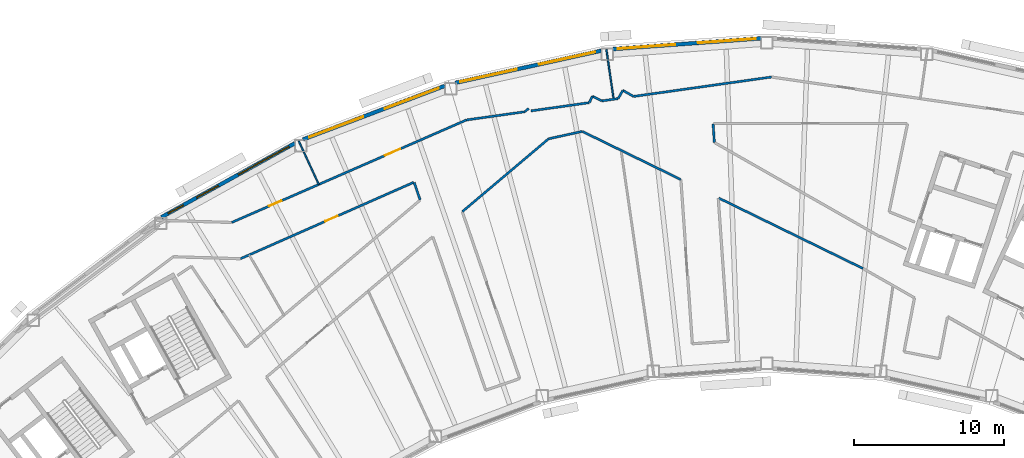
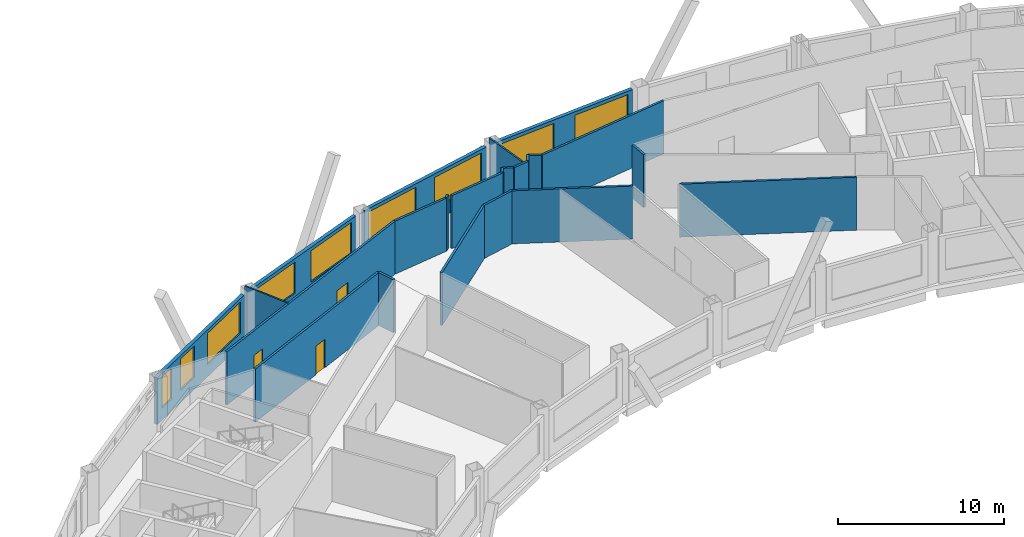
# One storey, part 7 of 14: 23 walls, 9 windows, 3 doors, 12 openings.
"""IFC4 building model written with IfcOpenShell, lengths in metres."""

from ifc_helpers import new_model, si_unit, direction, frame, frame_2d, origin, place, context, subcontext, project, spatial, rectangle, extrude, material, layer, layer_set, type_object, element, fill, save


model = new_model("IFC4")

# Units and contexts
model_context = context("Model", 3, precision=1e-05, world=origin(), true_north=direction((0.0, 1.0)))
body_context = subcontext(model_context, "Body", "Model", "MODEL_VIEW")
ifc_project = project(units=[si_unit("LENGTHUNIT", "METRE"), si_unit("AREAUNIT", "SQUARE_METRE"), si_unit("VOLUMEUNIT", "CUBIC_METRE"), si_unit("PLANEANGLEUNIT", "RADIAN"), si_unit("MASSUNIT", "GRAM", prefix="KILO")], contexts=[model_context])

# Site, building, storey
site_placement = place(None, origin())
site = spatial("IfcSite", under=ifc_project, at=site_placement, CompositionType="ELEMENT")
building_placement = place(site_placement, origin())
building = spatial("IfcBuilding", under=site, at=building_placement, Name="Tuul Gate Civic Tower", CompositionType="ELEMENT")
storey_placement = place(building_placement, frame((0.0, 0.0, 256.800048828125)))
storey = spatial("IfcBuildingStorey", under=building, at=storey_placement, Name="Level 58", CompositionType="ELEMENT", Elevation=256.800048828125)

# Walls
ifc_material_1 = material(Name="Gypsum board partition")
ifc_layer_1 = layer(ifc_material_1, 0.14990234375)
ifc_layer_set_1 = layer_set([ifc_layer_1], Name="Gypsum board partition")
wall_type_1 = type_object("IfcWallType", Name="Corridor wall P150", PredefinedType="PARTITIONING", material=ifc_layer_set_1)
wall_1_placement = place(storey_placement, frame((-8.997802734375, 8.331787109375, 0.0), z_axis=(0.0, 0.0, 1.0), x_axis=(0.990228560902, 0.139453924914, 0.0)))
element("IfcWall", 1, at=wall_1_placement, inside=storey, type_object=wall_type_1, Name="p017", PredefinedType="PARTITIONING", context=body_context, shape_type="SweptSolid", body=[
    extrude(rectangle(XDim=3.9267578125, YDim=0.14990234375, at=frame_2d((1.96337890625, 0.0))), origin(), (0.0, 0.0, 1.0), 3.89990234375),
])
wall_2_placement = place(storey_placement, frame((-4.6884765625, 8.938720703125, 0.0), z_axis=(0.0, 0.0, 1.0), x_axis=(0.990239491623, 0.139376286467, 0.0)))
element("IfcWall", 2, at=wall_2_placement, inside=storey, type_object=wall_type_1, Name="p018", PredefinedType="PARTITIONING", context=body_context, shape_type="SweptSolid", body=[
    extrude(rectangle(XDim=3.911376953125, YDim=0.14990234375, at=frame_2d((1.95556640625, 0.0))), origin(), (0.0, 0.0, 1.0), 3.89990234375),
])
wall_3_placement = place(storey_placement, frame((0.0322265625, 9.603515625, 0.0), z_axis=(0.0, 0.0, 1.0), x_axis=(0.990252706124, 0.139282367921, 0.0)))
element("IfcWall", 3, at=wall_3_placement, inside=storey, type_object=wall_type_1, Name="p019", PredefinedType="PARTITIONING", context=body_context, shape_type="SweptSolid", body=[
    extrude(rectangle(XDim=1.086669921875, YDim=0.14990234375, at=frame_2d((0.54345703125, 0.0))), origin(), (0.0, 0.0, 1.0), 3.89990234375),
])
wall_4_placement = place(storey_placement, frame((2.1494140625, 9.901611328125, 0.0), z_axis=(0.0, 0.0, 1.0), x_axis=(0.990230546803, 0.139439822781, 0.0)))
element("IfcWall", 4, at=wall_4_placement, inside=storey, type_object=wall_type_1, Name="p020", PredefinedType="PARTITIONING", context=body_context, shape_type="SweptSolid", body=[
    extrude(rectangle(XDim=9.28125, YDim=0.14990234375, at=frame_2d((4.640625, 0.0))), origin(), (0.0, 0.0, 1.0), 3.89990234375),
])
wall_5_placement = place(storey_placement, frame((1.431396484375, 10.305419921875, 0.0), z_axis=(0.0, 0.0, 1.0), x_axis=(0.869001058999, -0.494810225702, 0.0)))
element("IfcWall", 5, at=wall_5_placement, inside=storey, type_object=wall_type_1, Name="p021", PredefinedType="PARTITIONING", context=body_context, shape_type="SweptSolid", body=[
    extrude(rectangle(XDim=0.811767578125, YDim=0.14990234375, at=frame_2d((0.40576171875, 0.0))), origin(), (0.0, 0.0, 1.0), 3.89990234375),
])
wall_6_placement = place(storey_placement, frame((1.122802734375, 9.764892578125, 0.0), z_axis=(0.0, 0.0, 1.0), x_axis=(0.494912710039, 0.868942696294, 0.0)))
element("IfcWall", 6, at=wall_6_placement, inside=storey, type_object=wall_type_1, Name="p025", PredefinedType="PARTITIONING", context=body_context, shape_type="SweptSolid", body=[
    extrude(rectangle(XDim=0.6220703125, YDim=0.14990234375, at=frame_2d((0.31103515625, 0.0))), origin(), (0.0, 0.0, 1.0), 3.89990234375),
])
wall_7_placement = place(storey_placement, frame((-0.59716796875, 9.91064453125, 0.0), z_axis=(0.0, 0.0, 1.0), x_axis=(0.8990532577, -0.437839285376, 0.0)))
element("IfcWall", 7, at=wall_7_placement, inside=storey, type_object=wall_type_1, Name="p028", PredefinedType="PARTITIONING", context=body_context, shape_type="SweptSolid", body=[
    extrude(rectangle(XDim=0.69970703125, YDim=0.14990234375, at=frame_2d((0.349853515625, 0.0))), origin(), (0.0, 0.0, 1.0), 3.89990234375),
])
wall_8_placement = place(storey_placement, frame((-0.800048828125, 9.4951171875, 0.0), z_axis=(0.0, 0.0, 1.0), x_axis=(0.438746071107, 0.898611086671, 0.0)))
element("IfcWall", 8, at=wall_8_placement, inside=storey, type_object=wall_type_1, Name="p030", PredefinedType="PARTITIONING", context=body_context, shape_type="SweptSolid", body=[
    extrude(rectangle(XDim=0.46240234375, YDim=0.14990234375, at=frame_2d((0.231201171875, 0.0))), origin(), (0.0, 0.0, 1.0), 3.89990234375),
])
wall_9_placement = place(storey_placement, frame((-5.09912109375, 8.8837890625, 0.0), z_axis=(0.0, 0.0, 1.0), x_axis=(0.763549735417, 0.64574902365, 0.0)))
element("IfcWall", 9, at=wall_9_placement, inside=storey, type_object=wall_type_1, Name="p032", PredefinedType="PARTITIONING", context=body_context, shape_type="SweptSolid", body=[
    extrude(rectangle(XDim=0.33984375, YDim=0.14990234375, at=frame_2d((0.169921875, 0.0))), origin(), (0.0, 0.0, 1.0), 3.89990234375),
])

# Wall, openings, doors
wall_10_placement = place(storey_placement, frame((-24.63427734375, 1.503173828125, 0.0), z_axis=(0.0, 0.0, 1.0), x_axis=(0.916422804451, 0.400211498439, 0.0)))
wall_10 = element("IfcWall", 10, at=wall_10_placement, inside=storey, type_object=wall_type_1, Name="p033", PredefinedType="PARTITIONING", context=body_context, shape_type="SweptSolid", body=[
    extrude(rectangle(XDim=17.0625, YDim=0.14990234375, at=frame_2d((8.53125, 0.0))), origin(), (0.0, 0.0, 1.0), 3.89990234375),
])
opening_1_placement = place(wall_10_placement, frame((11.146728515625, 0.0, 0.0)))
opening_1 = element("IfcOpeningElement", 11, at=opening_1_placement, cuts=wall_10, Name="Opening V-D05", PredefinedType="OPENING", context=body_context, shape_type="SweptSolid", body=[
    extrude(rectangle(XDim=1.10009765625, YDim=2.10009765625, at=frame_2d((0.550048828125, 1.050048828125))), frame((0.0, 0.0849609375, 0.0), z_axis=(0.0, -1.0, 0.0), x_axis=(1.0, 0.0, 0.0)), (0.0, 0.0, 1.0), 0.169921875),
])
opening_2_placement = place(wall_10_placement, frame((2.715576171875, 0.0, 0.0)))
opening_2 = element("IfcOpeningElement", 12, at=opening_2_placement, cuts=wall_10, Name="Opening V-D06", PredefinedType="OPENING", context=body_context, shape_type="SweptSolid", body=[
    extrude(rectangle(XDim=0.89990234375, YDim=2.10009765625, at=frame_2d((0.449951171875, 1.050048828125))), frame((0.0, 0.0849609375, 0.0), z_axis=(0.0, -1.0, 0.0), x_axis=(1.0, 0.0, 0.0)), (0.0, 0.0, 1.0), 0.169921875),
])
ifc_material_2 = material(Name="Timber door leaf", Category="wood")
door_type_1 = type_object("IfcDoorType", Name="Door D09", OperationType="NOTDEFINED", PredefinedType="DOOR", material=ifc_material_2)
door_1_placement = place(opening_2_placement, origin())
door_1 = element("IfcDoor", 13, at=door_1_placement, inside=storey, type_object=door_type_1, Name="Door V-D06", OperationType="SINGLE_SWING_RIGHT", OverallHeight=2.10009765625, OverallWidth=0.89990234375, PredefinedType="DOOR", context=body_context, shape_type="SweptSolid", body=[
    extrude(rectangle(XDim=0.89990234375, YDim=2.10009765625, at=frame_2d((0.449951171875, 1.050048828125))), frame((0.0, 0.02490234375, 0.0), z_axis=(0.0, -1.0, 0.0), x_axis=(1.0, 0.0, 0.0)), (0.0, 0.0, 1.0), 0.050048828125),
])
fill(opening_2, door_1)
ifc_material_3 = material(Name="Timber door leaf", Category="wood")
door_type_2 = type_object("IfcDoorType", Name="Door D11", OperationType="NOTDEFINED", PredefinedType="DOOR", material=ifc_material_3)
door_2_placement = place(opening_1_placement, origin())
door_2 = element("IfcDoor", 14, at=door_2_placement, inside=storey, type_object=door_type_2, Name="Door V-D05", OperationType="SINGLE_SWING_RIGHT", OverallHeight=2.10009765625, OverallWidth=1.10009765625, PredefinedType="DOOR", context=body_context, shape_type="SweptSolid", body=[
    extrude(rectangle(XDim=1.10009765625, YDim=2.10009765625, at=frame_2d((0.550048828125, 1.050048828125))), frame((0.0, 0.02490234375, 0.0), z_axis=(0.0, -1.0, 0.0), x_axis=(1.0, 0.0, 0.0)), (0.0, 0.0, 1.0), 0.050048828125),
])
fill(opening_1, door_2)

# Walls
wall_11_placement = place(storey_placement, frame((-1.2685546875, 7.5673828125, 0.0), z_axis=(0.0, 0.0, 1.0), x_axis=(0.898570891444, -0.438828386787, 0.0)))
element("IfcWall", 15, at=wall_11_placement, inside=storey, type_object=wall_type_1, Name="p063", PredefinedType="PARTITIONING", context=body_context, shape_type="SweptSolid", body=[
    extrude(rectangle(XDim=7.2958984375, YDim=0.14990234375, at=frame_2d((3.64794921875, 0.0))), origin(), (0.0, 0.0, 1.0), 3.89990234375),
])
wall_12_placement = place(storey_placement, frame((7.81982421875, 3.129150390625, 0.0), z_axis=(0.0, 0.0, 1.0), x_axis=(0.898573794777, -0.4388224417, 0.0)))
element("IfcWall", 16, at=wall_12_placement, inside=storey, type_object=wall_type_1, Name="p064", PredefinedType="PARTITIONING", context=body_context, shape_type="SweptSolid", body=[
    extrude(rectangle(XDim=10.697021484375, YDim=0.14990234375, at=frame_2d((5.3486328125, 0.0))), origin(), (0.0, 0.0, 1.0), 3.89990234375),
])
wall_13_placement = place(storey_placement, frame((7.444091796875, 8.071044921875, 0.0), z_axis=(0.0, 0.0, 1.0), x_axis=(0.069864679707, -0.997556477864, 0.0)))
element("IfcWall", 17, at=wall_13_placement, inside=storey, type_object=wall_type_1, Name="p067", PredefinedType="PARTITIONING", context=body_context, shape_type="SweptSolid", body=[
    extrude(rectangle(XDim=1.22998046875, YDim=0.14990234375, at=frame_2d((0.614990234375, 0.0))), origin(), (0.0, 0.0, 1.0), 3.89990234375),
])
wall_14_placement = place(storey_placement, frame((-9.259765625, 2.229248046875, 0.0), z_axis=(0.0, 0.0, 1.0), x_axis=(0.764029559752, 0.645181239518, 0.0)))
element("IfcWall", 18, at=wall_14_placement, inside=storey, type_object=wall_type_1, Name="p071", PredefinedType="PARTITIONING", context=body_context, shape_type="SweptSolid", body=[
    extrude(rectangle(XDim=7.51025390625, YDim=0.14990234375, at=frame_2d((3.755126953125, 0.0))), origin(), (0.0, 0.0, 1.0), 3.89990234375),
])
wall_15_placement = place(storey_placement, frame((-12.478271484375, 4.16552734375, 0.0), z_axis=(0.0, 0.0, 1.0), x_axis=(0.325653057846, -0.945489336754, 0.0)))
element("IfcWall", 19, at=wall_15_placement, inside=storey, type_object=wall_type_1, Name="p072", PredefinedType="PARTITIONING", context=body_context, shape_type="SweptSolid", body=[
    extrude(rectangle(XDim=1.225830078125, YDim=0.14990234375, at=frame_2d((0.61279296875, 0.0))), origin(), (0.0, 0.0, 1.0), 3.89990234375),
])
wall_16_placement = place(storey_placement, frame((-3.51318359375, 7.0791015625, 0.0), z_axis=(0.0, 0.0, 1.0), x_axis=(0.976734518066, 0.214452048765, 0.0)))
element("IfcWall", 20, at=wall_16_placement, inside=storey, type_object=wall_type_1, Name="p076", PredefinedType="PARTITIONING", context=body_context, shape_type="SweptSolid", body=[
    extrude(rectangle(XDim=2.284912109375, YDim=0.14990234375, at=frame_2d((1.142578125, 0.0))), origin(), (0.0, 0.0, 1.0), 3.89990234375),
])

# Wall, opening, door
wall_17_placement = place(storey_placement, frame((-24.055419921875, -0.9169921875, 0.0), z_axis=(0.0, 0.0, 1.0), x_axis=(0.914957919582, 0.403549260183, 0.0)))
wall_17 = element("IfcWall", 21, at=wall_17_placement, inside=storey, type_object=wall_type_1, Name="p099", PredefinedType="PARTITIONING", context=body_context, shape_type="SweptSolid", body=[
    extrude(rectangle(XDim=12.62353515625, YDim=0.14990234375, at=frame_2d((6.311767578125, 0.0))), origin(), (0.0, 0.0, 1.0), 3.89990234375),
])
opening_3_placement = place(wall_17_placement, frame((6.1796875, 0.0, 0.0)))
opening_3 = element("IfcOpeningElement", 22, at=opening_3_placement, cuts=wall_17, Name="Opening V-D22", PredefinedType="OPENING", context=body_context, shape_type="SweptSolid", body=[
    extrude(rectangle(XDim=0.89990234375, YDim=2.10009765625, at=frame_2d((0.449951171875, 1.050048828125))), frame((0.0, 0.0849609375, 0.0), z_axis=(0.0, -1.0, 0.0), x_axis=(1.0, 0.0, 0.0)), (0.0, 0.0, 1.0), 0.169921875),
])
door_3_placement = place(opening_3_placement, origin())
door_3 = element("IfcDoor", 23, at=door_3_placement, inside=storey, type_object=door_type_1, Name="Door V-D22", OperationType="SINGLE_SWING_RIGHT", OverallHeight=2.10009765625, OverallWidth=0.89990234375, PredefinedType="DOOR", context=body_context, shape_type="SweptSolid", body=[
    extrude(rectangle(XDim=0.89990234375, YDim=2.10009765625, at=frame_2d((0.449951171875, 1.050048828125))), frame((0.0, 0.02490234375, 0.0), z_axis=(0.0, -1.0, 0.0), x_axis=(1.0, 0.0, 0.0)), (0.0, 0.0, 1.0), 0.050048828125),
])
fill(opening_3, door_3)

# Wall, openings, windows
ifc_material_4 = material(Name="Precast concrete C40/50", Category="concrete")
ifc_layer_2 = layer(ifc_material_4, 0.25)
ifc_layer_set_2 = layer_set([ifc_layer_2], Name="Precast concrete C40/50")
wall_type_2 = type_object("IfcWallType", Name="External wall", PredefinedType="STANDARD", material=ifc_layer_set_2)
wall_18_placement = place(storey_placement, frame((10.631103515625, 13.770751953125, 0.0), z_axis=(0.0, 0.0, 1.0), x_axis=(-0.997387687721, -0.072234343517, 0.0)))
wall_18 = element("IfcWall", 24, at=wall_18_placement, inside=storey, type_object=wall_type_2, Name="External wall", PredefinedType="STANDARD", context=body_context, shape_type="SweptSolid", body=[
    extrude(rectangle(XDim=9.8759765625, YDim=0.25, at=frame_2d((4.93798828125, 0.0))), origin(), (0.0, 0.0, 1.0), 3.449951171875),
])
opening_4_placement = place(wall_18_placement, frame((0.3505859375, 0.0, 0.89990234375)))
opening_4 = element("IfcOpeningElement", 25, at=opening_4_placement, cuts=wall_18, Name="Opening W22", PredefinedType="OPENING", context=body_context, shape_type="SweptSolid", body=[
    extrude(rectangle(XDim=3.85009765625, YDim=2.300048828125, at=frame_2d((1.925048828125, 1.14990234375))), frame((0.0, 0.135009765625, 0.0), z_axis=(0.0, -1.0, 0.0), x_axis=(1.0, 0.0, 0.0)), (0.0, 0.0, 1.0), 0.27001953125),
])
opening_5_placement = place(wall_18_placement, frame((5.72216796875, 0.0, 0.89990234375)))
opening_5 = element("IfcOpeningElement", 26, at=opening_5_placement, cuts=wall_18, Name="Opening W22", PredefinedType="OPENING", context=body_context, shape_type="SweptSolid", body=[
    extrude(rectangle(XDim=3.85009765625, YDim=2.300048828125, at=frame_2d((1.925048828125, 1.14990234375))), frame((0.0, 0.135009765625, 0.0), z_axis=(0.0, -1.0, 0.0), x_axis=(1.0, 0.0, 0.0)), (0.0, 0.0, 1.0), 0.27001953125),
])
ifc_material_5 = material(Name="Glass", Category="glass")
window_type_1 = type_object("IfcWindowType", Name="Window W22 3850 x 2300", PartitioningType="SINGLE_PANEL", PredefinedType="WINDOW", material=ifc_material_5)
window_1_placement = place(opening_4_placement, origin())
window_1 = element("IfcWindow", 27, at=window_1_placement, inside=storey, type_object=window_type_1, Name="Window", OverallHeight=2.300048828125, OverallWidth=3.85009765625, PartitioningType="SINGLE_PANEL", PredefinedType="WINDOW", context=body_context, shape_type="SweptSolid", body=[
    extrude(rectangle(XDim=3.85009765625, YDim=2.300048828125, at=frame_2d((1.925048828125, 1.14990234375))), frame((0.0, 0.030029296875, 0.0), z_axis=(0.0, -1.0, 0.0), x_axis=(1.0, 0.0, 0.0)), (0.0, 0.0, 1.0), 0.06005859375),
])
fill(opening_4, window_1)
window_2_placement = place(opening_5_placement, origin())
window_2 = element("IfcWindow", 28, at=window_2_placement, inside=storey, type_object=window_type_1, Name="Window", OverallHeight=2.300048828125, OverallWidth=3.85009765625, PartitioningType="SINGLE_PANEL", PredefinedType="WINDOW", context=body_context, shape_type="SweptSolid", body=[
    extrude(rectangle(XDim=3.85009765625, YDim=2.300048828125, at=frame_2d((1.925048828125, 1.14990234375))), frame((0.0, 0.030029296875, 0.0), z_axis=(0.0, -1.0, 0.0), x_axis=(1.0, 0.0, 0.0)), (0.0, 0.0, 1.0), 0.06005859375),
])
fill(opening_5, window_2)

wall_19_placement = place(storey_placement, frame((-0.01904296875, 12.947265625, 0.0), z_axis=(0.0, 0.0, 1.0), x_axis=(-0.976559045146, -0.215249695339, 0.0)))
wall_19 = element("IfcWall", 29, at=wall_19_placement, inside=storey, type_object=wall_type_2, Name="External wall", PredefinedType="STANDARD", context=body_context, shape_type="SweptSolid", body=[
    extrude(rectangle(XDim=9.952880859375, YDim=0.25, at=frame_2d((4.9765625, 0.0))), origin(), (0.0, 0.0, 1.0), 3.449951171875),
])
opening_6_placement = place(wall_19_placement, frame((0.389892578125, 0.0, 0.89990234375)))
opening_6 = element("IfcOpeningElement", 30, at=opening_6_placement, cuts=wall_19, Name="Opening W22", PredefinedType="OPENING", context=body_context, shape_type="SweptSolid", body=[
    extrude(rectangle(XDim=3.85009765625, YDim=2.300048828125, at=frame_2d((1.925048828125, 1.14990234375))), frame((0.0, 0.135009765625, 0.0), z_axis=(0.0, -1.0, 0.0), x_axis=(1.0, 0.0, 0.0)), (0.0, 0.0, 1.0), 0.27001953125),
])
opening_7_placement = place(wall_19_placement, frame((5.7607421875, 0.0, 0.89990234375)))
opening_7 = element("IfcOpeningElement", 31, at=opening_7_placement, cuts=wall_19, Name="Opening W22", PredefinedType="OPENING", context=body_context, shape_type="SweptSolid", body=[
    extrude(rectangle(XDim=3.85009765625, YDim=2.300048828125, at=frame_2d((1.925048828125, 1.14990234375))), frame((0.0, 0.135009765625, 0.0), z_axis=(0.0, -1.0, 0.0), x_axis=(1.0, 0.0, 0.0)), (0.0, 0.0, 1.0), 0.27001953125),
])
window_3_placement = place(opening_6_placement, origin())
window_3 = element("IfcWindow", 32, at=window_3_placement, inside=storey, type_object=window_type_1, Name="Window", OverallHeight=2.300048828125, OverallWidth=3.85009765625, PartitioningType="SINGLE_PANEL", PredefinedType="WINDOW", context=body_context, shape_type="SweptSolid", body=[
    extrude(rectangle(XDim=3.85009765625, YDim=2.300048828125, at=frame_2d((1.925048828125, 1.14990234375))), frame((0.0, 0.030029296875, 0.0), z_axis=(0.0, -1.0, 0.0), x_axis=(1.0, 0.0, 0.0)), (0.0, 0.0, 1.0), 0.06005859375),
])
fill(opening_6, window_3)
window_4_placement = place(opening_7_placement, origin())
window_4 = element("IfcWindow", 33, at=window_4_placement, inside=storey, type_object=window_type_1, Name="Window", OverallHeight=2.300048828125, OverallWidth=3.85009765625, PartitioningType="SINGLE_PANEL", PredefinedType="WINDOW", context=body_context, shape_type="SweptSolid", body=[
    extrude(rectangle(XDim=3.85009765625, YDim=2.300048828125, at=frame_2d((1.925048828125, 1.14990234375))), frame((0.0, 0.030029296875, 0.0), z_axis=(0.0, -1.0, 0.0), x_axis=(1.0, 0.0, 0.0)), (0.0, 0.0, 1.0), 0.06005859375),
])
fill(opening_7, window_4)

wall_20_placement = place(storey_placement, frame((-10.446044921875, 10.6005859375, 0.0), z_axis=(0.0, 0.0, 1.0), x_axis=(-0.935343984789, -0.353739494712, 0.0)))
wall_20 = element("IfcWall", 34, at=wall_20_placement, inside=storey, type_object=wall_type_2, Name="External wall", PredefinedType="STANDARD", context=body_context, shape_type="SweptSolid", body=[
    extrude(rectangle(XDim=10.099365234375, YDim=0.25, at=frame_2d((5.0498046875, 0.0))), origin(), (0.0, 0.0, 1.0), 3.449951171875),
])
opening_8_placement = place(wall_20_placement, frame((0.422607421875, 0.0, 0.89990234375)))
opening_8 = element("IfcOpeningElement", 35, at=opening_8_placement, cuts=wall_20, Name="Opening W22", PredefinedType="OPENING", context=body_context, shape_type="SweptSolid", body=[
    extrude(rectangle(XDim=3.85009765625, YDim=2.300048828125, at=frame_2d((1.925048828125, 1.14990234375))), frame((0.0, 0.135009765625, 0.0), z_axis=(0.0, -1.0, 0.0), x_axis=(1.0, 0.0, 0.0)), (0.0, 0.0, 1.0), 0.27001953125),
])
opening_9_placement = place(wall_20_placement, frame((5.7939453125, 0.0, 0.89990234375)))
opening_9 = element("IfcOpeningElement", 36, at=opening_9_placement, cuts=wall_20, Name="Opening W22", PredefinedType="OPENING", context=body_context, shape_type="SweptSolid", body=[
    extrude(rectangle(XDim=3.85009765625, YDim=2.300048828125, at=frame_2d((1.925048828125, 1.14990234375))), frame((0.0, 0.135009765625, 0.0), z_axis=(0.0, -1.0, 0.0), x_axis=(1.0, 0.0, 0.0)), (0.0, 0.0, 1.0), 0.27001953125),
])
window_5_placement = place(opening_8_placement, origin())
window_5 = element("IfcWindow", 37, at=window_5_placement, inside=storey, type_object=window_type_1, Name="Window", OverallHeight=2.300048828125, OverallWidth=3.85009765625, PartitioningType="SINGLE_PANEL", PredefinedType="WINDOW", context=body_context, shape_type="SweptSolid", body=[
    extrude(rectangle(XDim=3.85009765625, YDim=2.300048828125, at=frame_2d((1.925048828125, 1.14990234375))), frame((0.0, 0.030029296875, 0.0), z_axis=(0.0, -1.0, 0.0), x_axis=(1.0, 0.0, 0.0)), (0.0, 0.0, 1.0), 0.06005859375),
])
fill(opening_8, window_5)
window_6_placement = place(opening_9_placement, origin())
window_6 = element("IfcWindow", 38, at=window_6_placement, inside=storey, type_object=window_type_1, Name="Window", OverallHeight=2.300048828125, OverallWidth=3.85009765625, PartitioningType="SINGLE_PANEL", PredefinedType="WINDOW", context=body_context, shape_type="SweptSolid", body=[
    extrude(rectangle(XDim=3.85009765625, YDim=2.300048828125, at=frame_2d((1.925048828125, 1.14990234375))), frame((0.0, 0.030029296875, 0.0), z_axis=(0.0, -1.0, 0.0), x_axis=(1.0, 0.0, 0.0)), (0.0, 0.0, 1.0), 0.06005859375),
])
fill(opening_9, window_6)

wall_21_placement = place(storey_placement, frame((-20.43310546875, 6.777099609375, 0.0), z_axis=(0.0, 0.0, 1.0), x_axis=(-0.87463069098, -0.484789804345, 0.0)))
wall_21 = element("IfcWall", 39, at=wall_21_placement, inside=storey, type_object=wall_type_2, Name="External wall", PredefinedType="STANDARD", context=body_context, shape_type="SweptSolid", body=[
    extrude(rectangle(XDim=10.1591796875, YDim=0.25, at=frame_2d((5.07958984375, 0.0))), origin(), (0.0, 0.0, 1.0), 3.449951171875),
])
opening_10_placement = place(wall_21_placement, frame((0.4501953125, 0.0, 0.89990234375)))
opening_10 = element("IfcOpeningElement", 40, at=opening_10_placement, cuts=wall_21, Name="Opening W22", PredefinedType="OPENING", context=body_context, shape_type="SweptSolid", body=[
    extrude(rectangle(XDim=3.85009765625, YDim=2.300048828125, at=frame_2d((1.925048828125, 1.14990234375))), frame((0.0, 0.135009765625, 0.0), z_axis=(0.0, -1.0, 0.0), x_axis=(1.0, 0.0, 0.0)), (0.0, 0.0, 1.0), 0.27001953125),
])
opening_11_placement = place(wall_21_placement, frame((5.82373046875, 0.0, 0.89990234375)))
opening_11 = element("IfcOpeningElement", 41, at=opening_11_placement, cuts=wall_21, Name="Opening W55", PredefinedType="OPENING", context=body_context, shape_type="SweptSolid", body=[
    extrude(rectangle(XDim=1.64990234375, YDim=2.300048828125, at=frame_2d((0.824951171875, 1.14990234375))), frame((0.0, 0.135009765625, 0.0), z_axis=(0.0, -1.0, 0.0), x_axis=(1.0, 0.0, 0.0)), (0.0, 0.0, 1.0), 0.27001953125),
])
opening_12_placement = place(wall_21_placement, frame((8.49609375, 0.0, 0.89990234375)))
opening_12 = element("IfcOpeningElement", 42, at=opening_12_placement, cuts=wall_21, Name="Opening W43", PredefinedType="OPENING", context=body_context, shape_type="SweptSolid", body=[
    extrude(rectangle(XDim=1.14990234375, YDim=2.300048828125, at=frame_2d((0.574951171875, 1.14990234375))), frame((0.0, 0.135009765625, 0.0), z_axis=(0.0, -1.0, 0.0), x_axis=(1.0, 0.0, 0.0)), (0.0, 0.0, 1.0), 0.27001953125),
])
ifc_material_6 = material(Name="Glass", Category="glass")
window_type_2 = type_object("IfcWindowType", Name="Window 1150 x 2300", PartitioningType="SINGLE_PANEL", PredefinedType="WINDOW", material=ifc_material_6)
window_7_placement = place(opening_12_placement, origin())
window_7 = element("IfcWindow", 43, at=window_7_placement, inside=storey, type_object=window_type_2, Name="Window", OverallHeight=2.300048828125, OverallWidth=1.14990234375, PartitioningType="SINGLE_PANEL", PredefinedType="WINDOW", context=body_context, shape_type="SweptSolid", body=[
    extrude(rectangle(XDim=1.14990234375, YDim=2.300048828125, at=frame_2d((0.574951171875, 1.14990234375))), frame((0.0, 0.030029296875, 0.0), z_axis=(0.0, -1.0, 0.0), x_axis=(1.0, 0.0, 0.0)), (0.0, 0.0, 1.0), 0.06005859375),
])
fill(opening_12, window_7)
ifc_material_7 = material(Name="Glass", Category="glass")
window_type_3 = type_object("IfcWindowType", Name="Window 1650 x 2300", PartitioningType="SINGLE_PANEL", PredefinedType="WINDOW", material=ifc_material_7)
window_8_placement = place(opening_11_placement, origin())
window_8 = element("IfcWindow", 44, at=window_8_placement, inside=storey, type_object=window_type_3, Name="Window", OverallHeight=2.300048828125, OverallWidth=1.64990234375, PartitioningType="SINGLE_PANEL", PredefinedType="WINDOW", context=body_context, shape_type="SweptSolid", body=[
    extrude(rectangle(XDim=1.64990234375, YDim=2.300048828125, at=frame_2d((0.824951171875, 1.14990234375))), frame((0.0, 0.030029296875, 0.0), z_axis=(0.0, -1.0, 0.0), x_axis=(1.0, 0.0, 0.0)), (0.0, 0.0, 1.0), 0.06005859375),
])
fill(opening_11, window_8)
window_9_placement = place(opening_10_placement, origin())
window_9 = element("IfcWindow", 45, at=window_9_placement, inside=storey, type_object=window_type_1, Name="Window", OverallHeight=2.300048828125, OverallWidth=3.85009765625, PartitioningType="SINGLE_PANEL", PredefinedType="WINDOW", context=body_context, shape_type="SweptSolid", body=[
    extrude(rectangle(XDim=3.85009765625, YDim=2.300048828125, at=frame_2d((1.925048828125, 1.14990234375))), frame((0.0, 0.030029296875, 0.0), z_axis=(0.0, -1.0, 0.0), x_axis=(1.0, 0.0, 0.0)), (0.0, 0.0, 1.0), 0.06005859375),
])
fill(opening_10, window_9)

# Walls
ifc_material_8 = material(Name="Gypsum board partition")
ifc_layer_3 = layer(ifc_material_8, 0.10009765625)
ifc_layer_set_3 = layer_set([ifc_layer_3], Name="Gypsum board partition")
wall_type_3 = type_object("IfcWallType", Name="Partition P100", PredefinedType="PARTITIONING", material=ifc_layer_set_3)
wall_22_placement = place(storey_placement, frame((0.333740234375, 13.030029296875, 0.0), z_axis=(0.0, 0.0, 1.0), x_axis=(0.14410328547, -0.989562652446, 0.0)))
element("IfcWall", 46, at=wall_22_placement, inside=storey, type_object=wall_type_3, Name="p015", PredefinedType="PARTITIONING", context=body_context, shape_type="SweptSolid", body=[
    extrude(rectangle(XDim=3.35107421875, YDim=0.10009765625, at=frame_2d((1.675537109375, 0.0))), origin(), (0.0, 0.0, 1.0), 3.89990234375),
])
wall_23_placement = place(storey_placement, frame((-20.17138671875, 6.927734375, 0.0), z_axis=(0.0, 0.0, 1.0), x_axis=(0.420253283084, -0.907406842633, 0.0)))
element("IfcWall", 47, at=wall_23_placement, inside=storey, type_object=wall_type_3, Name="p026", PredefinedType="PARTITIONING", context=body_context, shape_type="SweptSolid", body=[
    extrude(rectangle(XDim=3.185791015625, YDim=0.10009765625, at=frame_2d((1.5927734375, 0.0))), origin(), (0.0, 0.0, 1.0), 3.89990234375),
])

save(model, "model.ifc")
